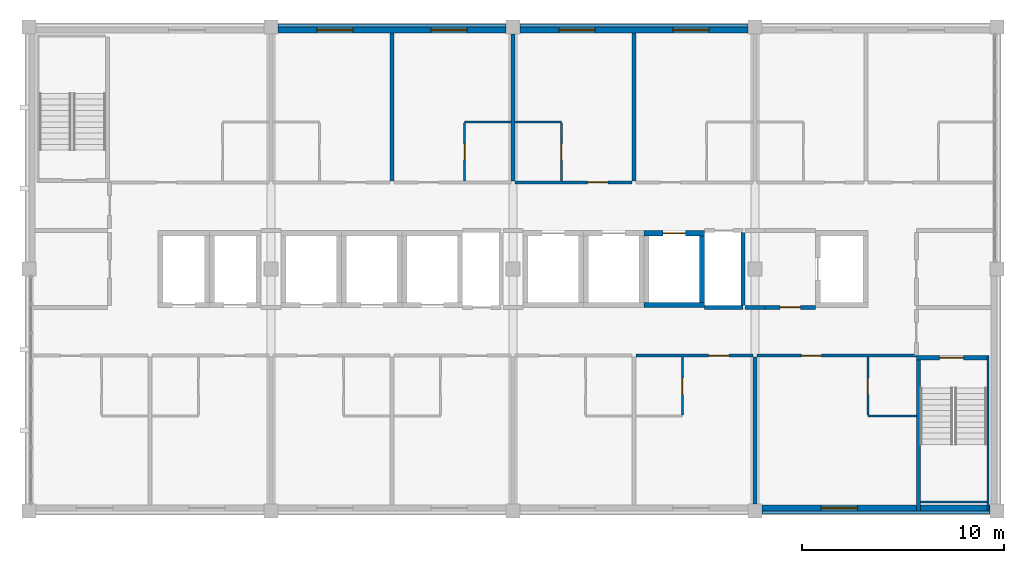
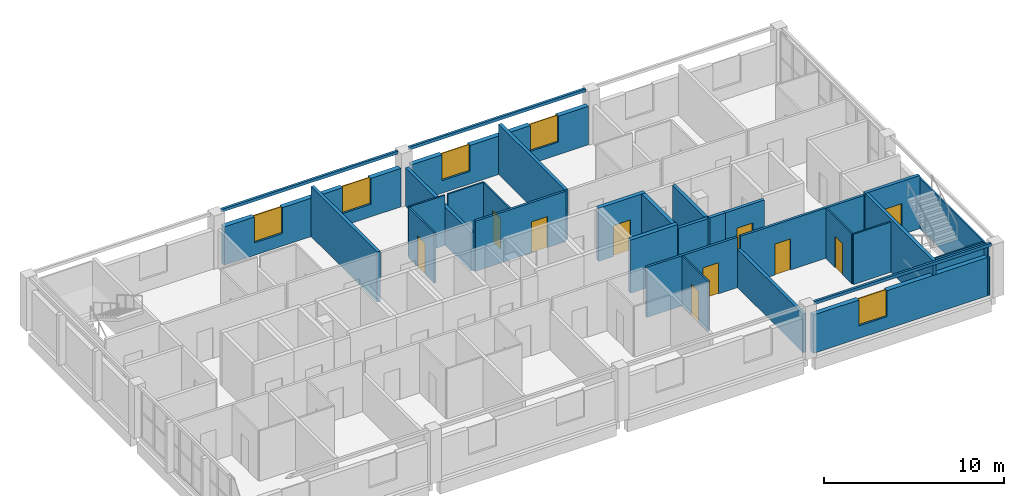
# One storey, part 8 of 11: 31 walls, 10 doors, 5 windows, 15 openings.
"""IFC4 building model written with IfcOpenShell, lengths in metres."""

from ifc_helpers import new_model, si_unit, direction, frame, frame_2d, origin, place, context, subcontext, project, spatial, rectangle, extrude, material, layer, layer_set, type_object, element, fill, save


model = new_model("IFC4")

# Units and contexts
model_context = context("Model", 3, precision=1e-05, world=origin(), true_north=direction((0.0, 1.0)))
body_context = subcontext(model_context, "Body", "Model", "MODEL_VIEW")
ifc_project = project(units=[si_unit("LENGTHUNIT", "METRE"), si_unit("AREAUNIT", "SQUARE_METRE"), si_unit("VOLUMEUNIT", "CUBIC_METRE"), si_unit("PLANEANGLEUNIT", "RADIAN"), si_unit("MASSUNIT", "GRAM", prefix="KILO")], contexts=[model_context])

# Site, building, storey
site_placement = place(None, origin())
site = spatial("IfcSite", under=ifc_project, at=site_placement, CompositionType="ELEMENT")
building_placement = place(site_placement, origin())
building = spatial("IfcBuilding", under=site, at=building_placement, Name="Lilac Gate Convention Centre", CompositionType="ELEMENT")
storey_placement = place(building_placement, frame((0.0, 0.0, 64.199951171875)))
storey = spatial("IfcBuildingStorey", under=building, at=storey_placement, Name="L16", CompositionType="ELEMENT", Elevation=64.199951171875)

# Walls
ifc_material_1 = material(Name="Concrete C40", Category="concrete")
ifc_layer_1 = layer(ifc_material_1, 0.10009765625)
ifc_layer_set_1 = layer_set([ifc_layer_1], Name="Concrete C40")
wall_type_1 = type_object("IfcWallType", Name="Core wall 100 C40", PredefinedType="SHEAR", material=ifc_layer_set_1)
wall_1_placement = place(storey_placement, frame((89.550048828125, 229.699951171875, 0.0), z_axis=(0.0, 0.0, 1.0), x_axis=(0.0, -1.0, 0.0)))
element("IfcWall", 1, at=wall_1_placement, inside=storey, type_object=wall_type_1, Name="CRW10 core wall TS-EX L16 1", PredefinedType="SHEAR", context=body_context, shape_type="SweptSolid", body=[
    extrude(rectangle(XDim=7.699951171875, YDim=0.10009765625, at=frame_2d((3.85009765625, 0.0))), origin(), (0.0, 0.0, 1.0), 3.400146484375),
])
wall_2_placement = place(storey_placement, frame((89.5, 222.449951171875, 0.0), z_axis=(0.0, 0.0, 1.0), x_axis=(-1.0, 0.0, 0.0)))
element("IfcWall", 2, at=wall_2_placement, inside=storey, type_object=wall_type_1, Name="CRW10 core wall TS-EX L16 2", PredefinedType="SHEAR", context=body_context, shape_type="SweptSolid", body=[
    extrude(rectangle(XDim=3.300048828125, YDim=0.10009765625, at=frame_2d((1.64990234375, 0.0))), origin(), (0.0, 0.0, 1.0), 3.400146484375),
])

# Wall, opening, door
ifc_layer_2 = layer(ifc_material_1, 0.199951171875)
ifc_layer_set_2 = layer_set([ifc_layer_2], Name="Concrete C40")
wall_type_2 = type_object("IfcWallType", Name="Core wall 200 C40", PredefinedType="SHEAR", material=ifc_layer_set_2)
wall_3_placement = place(storey_placement, frame((89.5, 229.60009765625, 0.0), z_axis=(0.0, 0.0, 1.0), x_axis=(-1.0, 0.0, 0.0)))
wall_3 = element("IfcWall", 3, at=wall_3_placement, inside=storey, type_object=wall_type_2, Name="CRW7 core wall TS-E L16 1", PredefinedType="SHEAR", context=body_context, shape_type="SweptSolid", body=[
    extrude(rectangle(XDim=3.5, YDim=0.199951171875, at=frame_2d((1.75, 0.0))), origin(), (0.0, 0.0, 1.0), 3.60009765625),
])
opening_1_placement = place(wall_3_placement, frame((1.14990234375, 0.0, 0.0)))
opening_1 = element("IfcOpeningElement", 4, at=opening_1_placement, cuts=wall_3, Name="Opening T15-046", PredefinedType="OPENING", context=body_context, shape_type="SweptSolid", body=[
    extrude(rectangle(XDim=1.199951171875, YDim=2.10009765625, at=frame_2d((0.60009765625, 1.050048828125))), frame((0.0, 0.10986328125, 0.0), z_axis=(0.0, -1.0, 0.0), x_axis=(1.0, 0.0, 0.0)), (0.0, 0.0, 1.0), 0.219970703125),
])
ifc_material_2 = material(Name="Steel Q235B", Category="steel")
door_type_1 = type_object("IfcDoorType", Name="Stair door 1200", OperationType="SINGLE_SWING_LEFT", PredefinedType="DOOR", material=ifc_material_2)
door_1_placement = place(opening_1_placement, origin())
door_1 = element("IfcDoor", 5, at=door_1_placement, inside=storey, type_object=door_type_1, Name="Stair door SE L16", OperationType="SINGLE_SWING_RIGHT", OverallHeight=2.10009765625, OverallWidth=1.199951171875, PredefinedType="DOOR", context=body_context, shape_type="SweptSolid", body=[
    extrude(rectangle(XDim=1.199951171875, YDim=2.10009765625, at=frame_2d((0.60009765625, 1.050048828125))), frame((0.0, 0.02490234375, 0.0), z_axis=(0.0, -1.0, 0.0), x_axis=(1.0, 0.0, 0.0)), (0.0, 0.0, 1.0), 0.050048828125),
])
fill(opening_1, door_1)

# Walls
wall_4_placement = place(storey_placement, frame((86.10009765625, 222.0, 0.0), z_axis=(0.0, 0.0, 1.0), x_axis=(0.0, 1.0, 0.0)))
element("IfcWall", 6, at=wall_4_placement, inside=storey, type_object=wall_type_2, Name="CRW7 core wall TS-E L16 2", PredefinedType="SHEAR", context=body_context, shape_type="SweptSolid", body=[
    extrude(rectangle(XDim=7.5, YDim=0.199951171875, at=frame_2d((3.75, 0.0))), origin(), (0.0, 0.0, 1.0), 3.60009765625),
])
ifc_layer_3 = layer(ifc_material_1, 0.25)
ifc_layer_set_3 = layer_set([ifc_layer_3], Name="Concrete C40")
wall_type_3 = type_object("IfcWallType", Name="Core wall 250 C40", PredefinedType="SHEAR", material=ifc_layer_set_3)
wall_5_placement = place(storey_placement, frame((72.5, 232.22509765625, 0.0), z_axis=(0.0, 0.0, 1.0), x_axis=(1.0, 0.0, 0.0)))
element("IfcWall", 7, at=wall_5_placement, inside=storey, type_object=wall_type_3, Name="CRW5 core wall TC L16 21", PredefinedType="SHEAR", context=body_context, shape_type="SweptSolid", body=[
    extrude(rectangle(XDim=3.0, YDim=0.25, at=frame_2d((1.5, 0.0))), origin(), (0.0, 0.0, 1.0), 3.60009765625),
])

# Wall, opening, door
wall_6_placement = place(storey_placement, frame((72.5, 235.77490234375, 0.0), z_axis=(0.0, 0.0, 1.0), x_axis=(1.0, 0.0, 0.0)))
wall_6 = element("IfcWall", 8, at=wall_6_placement, inside=storey, type_object=wall_type_3, Name="CRW5 core wall TC L16 22", PredefinedType="SHEAR", context=body_context, shape_type="SweptSolid", body=[
    extrude(rectangle(XDim=3.0, YDim=0.25, at=frame_2d((1.5, 0.0))), origin(), (0.0, 0.0, 1.0), 3.60009765625),
])
opening_2_placement = place(wall_6_placement, frame((0.949951171875, 0.0, 0.0)))
opening_2 = element("IfcOpeningElement", 9, at=opening_2_placement, cuts=wall_6, Name="Opening T15-041", PredefinedType="OPENING", context=body_context, shape_type="SweptSolid", body=[
    extrude(rectangle(XDim=1.10009765625, YDim=2.10009765625, at=frame_2d((0.550048828125, 1.050048828125))), frame((0.0, 0.135009765625, 0.0), z_axis=(0.0, -1.0, 0.0), x_axis=(1.0, 0.0, 0.0)), (0.0, 0.0, 1.0), 0.27001953125),
])
ifc_material_3 = material(Name="Stainless steel 304", Category="steel")
door_type_2 = type_object("IfcDoorType", Name="Lift landing door 1100", OperationType="SLIDING_TO_LEFT", PredefinedType="DOOR", material=ifc_material_3)
door_2_placement = place(opening_2_placement, origin())
door_2 = element("IfcDoor", 10, at=door_2_placement, inside=storey, type_object=door_type_2, Name="Lift landing door TP6 L16", OperationType="SLIDING_TO_LEFT", OverallHeight=2.10009765625, OverallWidth=1.10009765625, PredefinedType="DOOR", context=body_context, shape_type="SweptSolid", body=[
    extrude(rectangle(XDim=1.10009765625, YDim=2.10009765625, at=frame_2d((0.550048828125, 1.050048828125))), frame((0.0, 0.02490234375, 0.0), z_axis=(0.0, -1.0, 0.0), x_axis=(1.0, 0.0, 0.0)), (0.0, 0.0, 1.0), 0.050048828125),
])
fill(opening_2, door_2)

# Wall
wall_7_placement = place(storey_placement, frame((75.375, 232.35009765625, 0.0), z_axis=(0.0, 0.0, 1.0), x_axis=(0.0, 1.0, 0.0)))
element("IfcWall", 11, at=wall_7_placement, inside=storey, type_object=wall_type_3, Name="CRW5 core wall TC L16 24", PredefinedType="SHEAR", context=body_context, shape_type="SweptSolid", body=[
    extrude(rectangle(XDim=3.2998046875, YDim=0.25, at=frame_2d((1.64990234375, 0.0))), origin(), (0.0, 0.0, 1.0), 3.60009765625),
])

# Wall, opening, door
ifc_material_4 = material(Name="Gypsum board on steel stud", Category="steel")
ifc_layer_4 = layer(ifc_material_4, 0.14990234375)
ifc_layer_set_4 = layer_set([ifc_layer_4], Name="Gypsum board on steel stud")
wall_type_4 = type_object("IfcWallType", Name="Corridor wall 150", PredefinedType="PARTITIONING", material=ifc_layer_set_4)
wall_8_placement = place(storey_placement, frame((77.89990234375, 229.699951171875, 0.0), z_axis=(0.0, 0.0, 1.0), x_axis=(-1.0, 0.0, 0.0)))
wall_8 = element("IfcWall", 12, at=wall_8_placement, inside=storey, type_object=wall_type_4, Name="Corridor wall 150 front 1606", PredefinedType="PARTITIONING", context=body_context, shape_type="SweptSolid", body=[
    extrude(rectangle(XDim=5.7998046875, YDim=0.14990234375, at=frame_2d((2.89990234375, 0.0))), origin(), (0.0, 0.0, 1.0), 3.400146484375),
])
opening_3_placement = place(wall_8_placement, frame((1.199951171875, 0.0, 0.0)))
opening_3 = element("IfcOpeningElement", 13, at=opening_3_placement, cuts=wall_8, Name="Opening T15-018", PredefinedType="OPENING", context=body_context, shape_type="SweptSolid", body=[
    extrude(rectangle(XDim=1.0, YDim=2.10009765625, at=frame_2d((0.5, 1.050048828125))), frame((0.0, 0.0849609375, 0.0), z_axis=(0.0, -1.0, 0.0), x_axis=(1.0, 0.0, 0.0)), (0.0, 0.0, 1.0), 0.169921875),
])
ifc_material_5 = material(Name="Timber", Category="wood")
door_type_3 = type_object("IfcDoorType", Name="Guest room entrance door 1000", OperationType="SINGLE_SWING_LEFT", PredefinedType="DOOR", material=ifc_material_5)
door_3_placement = place(opening_3_placement, origin())
door_3 = element("IfcDoor", 14, at=door_3_placement, inside=storey, type_object=door_type_3, Name="Guest room door 1606", OperationType="SINGLE_SWING_LEFT", OverallHeight=2.10009765625, OverallWidth=1.0, PredefinedType="DOOR", context=body_context, shape_type="SweptSolid", body=[
    extrude(rectangle(XDim=1.0, YDim=2.10009765625, at=frame_2d((0.5, 1.050048828125))), frame((0.0, 0.02490234375, 0.0), z_axis=(0.0, -1.0, 0.0), x_axis=(1.0, 0.0, 0.0)), (0.0, 0.0, 1.0), 0.050048828125),
])
fill(opening_3, door_3)

wall_9_placement = place(storey_placement, frame((86.0, 229.699951171875, 0.0), z_axis=(0.0, 0.0, 1.0), x_axis=(-1.0, 0.0, 0.0)))
wall_9 = element("IfcWall", 15, at=wall_9_placement, inside=storey, type_object=wall_type_4, Name="Corridor wall 150 front 1607", PredefinedType="PARTITIONING", context=body_context, shape_type="SweptSolid", body=[
    extrude(rectangle(XDim=7.89990234375, YDim=0.14990234375, at=frame_2d((3.949951171875, 0.0))), origin(), (0.0, 0.0, 1.0), 3.400146484375),
])
opening_4_placement = place(wall_9_placement, frame((4.699951171875, 0.0, 0.0)))
opening_4 = element("IfcOpeningElement", 16, at=opening_4_placement, cuts=wall_9, Name="Opening T15-020", PredefinedType="OPENING", context=body_context, shape_type="SweptSolid", body=[
    extrude(rectangle(XDim=1.0, YDim=2.10009765625, at=frame_2d((0.5, 1.050048828125))), frame((0.0, 0.0849609375, 0.0), z_axis=(0.0, -1.0, 0.0), x_axis=(1.0, 0.0, 0.0)), (0.0, 0.0, 1.0), 0.169921875),
])
door_4_placement = place(opening_4_placement, origin())
door_4 = element("IfcDoor", 17, at=door_4_placement, inside=storey, type_object=door_type_3, Name="Guest room door 1607", OperationType="SINGLE_SWING_LEFT", OverallHeight=2.10009765625, OverallWidth=1.0, PredefinedType="DOOR", context=body_context, shape_type="SweptSolid", body=[
    extrude(rectangle(XDim=1.0, YDim=2.10009765625, at=frame_2d((0.5, 1.050048828125))), frame((0.0, 0.02490234375, 0.0), z_axis=(0.0, -1.0, 0.0), x_axis=(1.0, 0.0, 0.0)), (0.0, 0.0, 1.0), 0.050048828125),
])
fill(opening_4, door_4)

wall_10_placement = place(storey_placement, frame((66.10009765625, 238.300048828125, 0.0), z_axis=(0.0, 0.0, 1.0), x_axis=(1.0, 0.0, 0.0)))
wall_10 = element("IfcWall", 18, at=wall_10_placement, inside=storey, type_object=wall_type_4, Name="Corridor wall 150 front 1611", PredefinedType="PARTITIONING", context=body_context, shape_type="SweptSolid", body=[
    extrude(rectangle(XDim=5.7998046875, YDim=0.14990234375, at=frame_2d((2.89990234375, 0.0))), origin(), (0.0, 0.0, 1.0), 3.400146484375),
])
opening_5_placement = place(wall_10_placement, frame((3.60009765625, 0.0, 0.0)))
opening_5 = element("IfcOpeningElement", 19, at=opening_5_placement, cuts=wall_10, Name="Opening T15-028", PredefinedType="OPENING", context=body_context, shape_type="SweptSolid", body=[
    extrude(rectangle(XDim=1.0, YDim=2.10009765625, at=frame_2d((0.5, 1.050048828125))), frame((0.0, 0.0849609375, 0.0), z_axis=(0.0, -1.0, 0.0), x_axis=(1.0, 0.0, 0.0)), (0.0, 0.0, 1.0), 0.169921875),
])
door_5_placement = place(opening_5_placement, origin())
door_5 = element("IfcDoor", 20, at=door_5_placement, inside=storey, type_object=door_type_3, Name="Guest room door 1611", OperationType="SINGLE_SWING_LEFT", OverallHeight=2.10009765625, OverallWidth=1.0, PredefinedType="DOOR", context=body_context, shape_type="SweptSolid", body=[
    extrude(rectangle(XDim=1.0, YDim=2.10009765625, at=frame_2d((0.5, 1.050048828125))), frame((0.0, 0.02490234375, 0.0), z_axis=(0.0, -1.0, 0.0), x_axis=(1.0, 0.0, 0.0)), (0.0, 0.0, 1.0), 0.050048828125),
])
fill(opening_5, door_5)

ifc_layer_5 = layer(ifc_material_4, 0.10009765625)
ifc_layer_set_5 = layer_set([ifc_layer_5], Name="Gypsum board on steel stud")
wall_type_5 = type_object("IfcWallType", Name="En-suite wall 100", PredefinedType="PARTITIONING", material=ifc_layer_set_5)
wall_11_placement = place(storey_placement, frame((74.39990234375, 229.625, 0.0), z_axis=(0.0, 0.0, 1.0), x_axis=(0.0, -1.0, 0.0)))
wall_11 = element("IfcWall", 21, at=wall_11_placement, inside=storey, type_object=wall_type_5, Name="En-suite wall 100 bath side 1606", PredefinedType="PARTITIONING", context=body_context, shape_type="SweptSolid", body=[
    extrude(rectangle(XDim=2.875, YDim=0.10009765625, at=frame_2d((1.4375, 0.0))), origin(), (0.0, 0.0, 1.0), 3.400146484375),
])
opening_6_placement = place(wall_11_placement, frame((1.03759765625, 0.0, 0.0)))
opening_6 = element("IfcOpeningElement", 22, at=opening_6_placement, cuts=wall_11, Name="Opening T15-019", PredefinedType="OPENING", context=body_context, shape_type="SweptSolid", body=[
    extrude(rectangle(XDim=0.800048828125, YDim=2.10009765625, at=frame_2d((0.39990234375, 1.050048828125))), frame((0.0, 0.06005859375, 0.0), z_axis=(0.0, -1.0, 0.0), x_axis=(1.0, 0.0, 0.0)), (0.0, 0.0, 1.0), 0.1201171875),
])
door_type_4 = type_object("IfcDoorType", Name="En-suite door 800", OperationType="SINGLE_SWING_LEFT", PredefinedType="DOOR", material=ifc_material_5)
door_6_placement = place(opening_6_placement, origin())
door_6 = element("IfcDoor", 23, at=door_6_placement, inside=storey, type_object=door_type_4, Name="En-suite door 1606", OperationType="SINGLE_SWING_LEFT", OverallHeight=2.10009765625, OverallWidth=0.800048828125, PredefinedType="DOOR", context=body_context, shape_type="SweptSolid", body=[
    extrude(rectangle(XDim=0.800048828125, YDim=2.10009765625, at=frame_2d((0.39990234375, 1.050048828125))), frame((0.0, 0.02490234375, 0.0), z_axis=(0.0, -1.0, 0.0), x_axis=(1.0, 0.0, 0.0)), (0.0, 0.0, 1.0), 0.050048828125),
])
fill(opening_6, door_6)

# Wall
wall_12_placement = place(storey_placement, frame((83.60009765625, 226.699951171875, 0.0), z_axis=(0.0, 0.0, 1.0), x_axis=(1.0, 0.0, 0.0)))
element("IfcWall", 24, at=wall_12_placement, inside=storey, type_object=wall_type_5, Name="En-suite wall 100 bath 1607", PredefinedType="PARTITIONING", context=body_context, shape_type="SweptSolid", body=[
    extrude(rectangle(XDim=2.39990234375, YDim=0.10009765625, at=frame_2d((1.199951171875, 0.0))), origin(), (0.0, 0.0, 1.0), 3.400146484375),
])

# Wall, opening, door
wall_13_placement = place(storey_placement, frame((83.60009765625, 226.75, 0.0), z_axis=(0.0, 0.0, 1.0), x_axis=(0.0, 1.0, 0.0)))
wall_13 = element("IfcWall", 25, at=wall_13_placement, inside=storey, type_object=wall_type_5, Name="En-suite wall 100 bath side 1607", PredefinedType="PARTITIONING", context=body_context, shape_type="SweptSolid", body=[
    extrude(rectangle(XDim=2.875, YDim=0.10009765625, at=frame_2d((1.4375, 0.0))), origin(), (0.0, 0.0, 1.0), 3.400146484375),
])
opening_7_placement = place(wall_13_placement, frame((1.03759765625, 0.0, 0.0)))
opening_7 = element("IfcOpeningElement", 26, at=opening_7_placement, cuts=wall_13, Name="Opening T15-021", PredefinedType="OPENING", context=body_context, shape_type="SweptSolid", body=[
    extrude(rectangle(XDim=0.800048828125, YDim=2.10009765625, at=frame_2d((0.39990234375, 1.050048828125))), frame((0.0, 0.06005859375, 0.0), z_axis=(0.0, -1.0, 0.0), x_axis=(1.0, 0.0, 0.0)), (0.0, 0.0, 1.0), 0.1201171875),
])
door_7_placement = place(opening_7_placement, origin())
door_7 = element("IfcDoor", 27, at=door_7_placement, inside=storey, type_object=door_type_4, Name="En-suite door 1607", OperationType="SINGLE_SWING_RIGHT", OverallHeight=2.10009765625, OverallWidth=0.800048828125, PredefinedType="DOOR", context=body_context, shape_type="SweptSolid", body=[
    extrude(rectangle(XDim=0.800048828125, YDim=2.10009765625, at=frame_2d((0.39990234375, 1.050048828125))), frame((0.0, 0.02490234375, 0.0), z_axis=(0.0, -1.0, 0.0), x_axis=(1.0, 0.0, 0.0)), (0.0, 0.0, 1.0), 0.050048828125),
])
fill(opening_7, door_7)

# Wall
wall_14_placement = place(storey_placement, frame((63.60009765625, 241.300048828125, 0.0), z_axis=(0.0, 0.0, 1.0), x_axis=(1.0, 0.0, 0.0)))
element("IfcWall", 28, at=wall_14_placement, inside=storey, type_object=wall_type_5, Name="En-suite wall 100 bath 1610", PredefinedType="PARTITIONING", context=body_context, shape_type="SweptSolid", body=[
    extrude(rectangle(XDim=2.2998046875, YDim=0.10009765625, at=frame_2d((1.14990234375, 0.0))), origin(), (0.0, 0.0, 1.0), 3.400146484375),
])

# Wall, opening, door
wall_15_placement = place(storey_placement, frame((63.60009765625, 238.375, 0.0), z_axis=(0.0, 0.0, 1.0), x_axis=(0.0, 1.0, 0.0)))
wall_15 = element("IfcWall", 29, at=wall_15_placement, inside=storey, type_object=wall_type_5, Name="En-suite wall 100 bath side 1610", PredefinedType="PARTITIONING", context=body_context, shape_type="SweptSolid", body=[
    extrude(rectangle(XDim=2.875, YDim=0.10009765625, at=frame_2d((1.4375, 0.0))), origin(), (0.0, 0.0, 1.0), 3.400146484375),
])
opening_8_placement = place(wall_15_placement, frame((1.03759765625, 0.0, 0.0)))
opening_8 = element("IfcOpeningElement", 30, at=opening_8_placement, cuts=wall_15, Name="Opening T15-027", PredefinedType="OPENING", context=body_context, shape_type="SweptSolid", body=[
    extrude(rectangle(XDim=0.800048828125, YDim=2.10009765625, at=frame_2d((0.39990234375, 1.050048828125))), frame((0.0, 0.06005859375, 0.0), z_axis=(0.0, -1.0, 0.0), x_axis=(1.0, 0.0, 0.0)), (0.0, 0.0, 1.0), 0.1201171875),
])
door_8_placement = place(opening_8_placement, origin())
door_8 = element("IfcDoor", 31, at=door_8_placement, inside=storey, type_object=door_type_4, Name="En-suite door 1610", OperationType="SINGLE_SWING_LEFT", OverallHeight=2.10009765625, OverallWidth=0.800048828125, PredefinedType="DOOR", context=body_context, shape_type="SweptSolid", body=[
    extrude(rectangle(XDim=0.800048828125, YDim=2.10009765625, at=frame_2d((0.39990234375, 1.050048828125))), frame((0.0, 0.02490234375, 0.0), z_axis=(0.0, -1.0, 0.0), x_axis=(1.0, 0.0, 0.0)), (0.0, 0.0, 1.0), 0.050048828125),
])
fill(opening_8, door_8)

# Wall
wall_16_placement = place(storey_placement, frame((66.10009765625, 241.300048828125, 0.0), z_axis=(0.0, 0.0, 1.0), x_axis=(1.0, 0.0, 0.0)))
element("IfcWall", 32, at=wall_16_placement, inside=storey, type_object=wall_type_5, Name="En-suite wall 100 bath 1611", PredefinedType="PARTITIONING", context=body_context, shape_type="SweptSolid", body=[
    extrude(rectangle(XDim=2.2998046875, YDim=0.10009765625, at=frame_2d((1.14990234375, 0.0))), origin(), (0.0, 0.0, 1.0), 3.400146484375),
])

# Wall, opening, door
wall_17_placement = place(storey_placement, frame((68.39990234375, 241.25, 0.0), z_axis=(0.0, 0.0, 1.0), x_axis=(0.0, -1.0, 0.0)))
wall_17 = element("IfcWall", 33, at=wall_17_placement, inside=storey, type_object=wall_type_5, Name="En-suite wall 100 bath side 1611", PredefinedType="PARTITIONING", context=body_context, shape_type="SweptSolid", body=[
    extrude(rectangle(XDim=2.875, YDim=0.10009765625, at=frame_2d((1.4375, 0.0))), origin(), (0.0, 0.0, 1.0), 3.400146484375),
])
opening_9_placement = place(wall_17_placement, frame((1.03759765625, 0.0, 0.0)))
opening_9 = element("IfcOpeningElement", 34, at=opening_9_placement, cuts=wall_17, Name="Opening T15-029", PredefinedType="OPENING", context=body_context, shape_type="SweptSolid", body=[
    extrude(rectangle(XDim=0.800048828125, YDim=2.10009765625, at=frame_2d((0.39990234375, 1.050048828125))), frame((0.0, 0.06005859375, 0.0), z_axis=(0.0, -1.0, 0.0), x_axis=(1.0, 0.0, 0.0)), (0.0, 0.0, 1.0), 0.1201171875),
])
door_9_placement = place(opening_9_placement, origin())
door_9 = element("IfcDoor", 35, at=door_9_placement, inside=storey, type_object=door_type_4, Name="En-suite door 1611", OperationType="SINGLE_SWING_RIGHT", OverallHeight=2.10009765625, OverallWidth=0.800048828125, PredefinedType="DOOR", context=body_context, shape_type="SweptSolid", body=[
    extrude(rectangle(XDim=0.800048828125, YDim=2.10009765625, at=frame_2d((0.39990234375, 1.050048828125))), frame((0.0, 0.02490234375, 0.0), z_axis=(0.0, -1.0, 0.0), x_axis=(1.0, 0.0, 0.0)), (0.0, 0.0, 1.0), 0.050048828125),
])
fill(opening_9, door_9)

# Walls
ifc_layer_6 = layer(ifc_material_4, 0.199951171875)
ifc_layer_set_6 = layer_set([ifc_layer_6], Name="Gypsum board on steel stud")
wall_type_6 = type_object("IfcWallType", Name="Guest room party wall 200", PredefinedType="PARTITIONING", material=ifc_layer_set_6)
wall_18_placement = place(storey_placement, frame((78.0, 222.35009765625, 0.0), z_axis=(0.0, 0.0, 1.0), x_axis=(0.0, 1.0, 0.0)))
element("IfcWall", 36, at=wall_18_placement, inside=storey, type_object=wall_type_6, Name="Guest room party wall 200 party 78.0", PredefinedType="PARTITIONING", context=body_context, shape_type="SweptSolid", body=[
    extrude(rectangle(XDim=7.27490234375, YDim=0.199951171875, at=frame_2d((3.637451171875, 0.0))), origin(), (0.0, 0.0, 1.0), 2.60009765625),
])
wall_19_placement = place(storey_placement, frame((60.0, 245.7001953125, 0.0), z_axis=(0.0, 0.0, 1.0), x_axis=(0.0, -1.0, 0.0)))
element("IfcWall", 37, at=wall_19_placement, inside=storey, type_object=wall_type_6, Name="Guest room party wall 200 party 60.0", PredefinedType="PARTITIONING", context=body_context, shape_type="SweptSolid", body=[
    extrude(rectangle(XDim=7.3251953125, YDim=0.199951171875, at=frame_2d((3.66259765625, 0.0))), origin(), (0.0, 0.0, 1.0), 3.400146484375),
])
wall_20_placement = place(storey_placement, frame((66.0, 245.64990234375, 0.0), z_axis=(0.0, 0.0, 1.0), x_axis=(0.0, -1.0, 0.0)))
element("IfcWall", 38, at=wall_20_placement, inside=storey, type_object=wall_type_6, Name="Guest room party wall 200 party 66.0", PredefinedType="PARTITIONING", context=body_context, shape_type="SweptSolid", body=[
    extrude(rectangle(XDim=7.27490234375, YDim=0.199951171875, at=frame_2d((3.637451171875, 0.0))), origin(), (0.0, 0.0, 1.0), 2.60009765625),
])
wall_21_placement = place(storey_placement, frame((72.0, 245.7001953125, 0.0), z_axis=(0.0, 0.0, 1.0), x_axis=(0.0, -1.0, 0.0)))
element("IfcWall", 39, at=wall_21_placement, inside=storey, type_object=wall_type_6, Name="Guest room party wall 200 party 72.0", PredefinedType="PARTITIONING", context=body_context, shape_type="SweptSolid", body=[
    extrude(rectangle(XDim=7.3251953125, YDim=0.199951171875, at=frame_2d((3.66259765625, 0.0))), origin(), (0.0, 0.0, 1.0), 3.400146484375),
])

# Wall, opening, door
ifc_layer_7 = layer(ifc_material_4, 0.199951171875)
ifc_layer_set_7 = layer_set([ifc_layer_7], Name="Gypsum board on steel stud")
wall_type_7 = type_object("IfcWallType", Name="Lobby wall 200", PredefinedType="PARTITIONING", material=ifc_layer_set_7)
wall_22_placement = place(storey_placement, frame((78.5, 232.10009765625, 0.0), z_axis=(0.0, 0.0, 1.0), x_axis=(1.0, 0.0, 0.0)))
wall_22 = element("IfcWall", 40, at=wall_22_placement, inside=storey, type_object=wall_type_7, Name="Lobby wall 200 FFL-S", PredefinedType="PARTITIONING", context=body_context, shape_type="SweptSolid", body=[
    extrude(rectangle(XDim=2.5, YDim=0.199951171875, at=frame_2d((1.25, 0.0))), origin(), (0.0, 0.0, 1.0), 3.400146484375),
])
opening_10_placement = place(wall_22_placement, frame((0.75, 0.0, 0.0)))
opening_10 = element("IfcOpeningElement", 41, at=opening_10_placement, cuts=wall_22, Name="Opening T15-004", PredefinedType="OPENING", context=body_context, shape_type="SweptSolid", body=[
    extrude(rectangle(XDim=1.0, YDim=2.10009765625, at=frame_2d((0.5, 1.050048828125))), frame((0.0, 0.10986328125, 0.0), z_axis=(0.0, -1.0, 0.0), x_axis=(1.0, 0.0, 0.0)), (0.0, 0.0, 1.0), 0.219970703125),
])
door_type_5 = type_object("IfcDoorType", Name="Lobby door 1000", OperationType="SINGLE_SWING_LEFT", PredefinedType="DOOR", material=ifc_material_2)
door_10_placement = place(opening_10_placement, origin())
door_10 = element("IfcDoor", 42, at=door_10_placement, inside=storey, type_object=door_type_5, Name="Firefighting lobby door", OperationType="SINGLE_SWING_RIGHT", OverallHeight=2.10009765625, OverallWidth=1.0, PredefinedType="DOOR", context=body_context, shape_type="SweptSolid", body=[
    extrude(rectangle(XDim=1.0, YDim=2.10009765625, at=frame_2d((0.5, 1.050048828125))), frame((0.0, 0.02490234375, 0.0), z_axis=(0.0, -1.0, 0.0), x_axis=(1.0, 0.0, 0.0)), (0.0, 0.0, 1.0), 0.050048828125),
])
fill(opening_10, door_10)

# Walls
ifc_material_6 = material(Name="Concrete C40 precast", Category="concrete")
ifc_layer_8 = layer(ifc_material_6, 0.1298828125)
ifc_material_7 = material(Name="Terracotta glazed cladding", Category="masonry")
ifc_layer_9 = layer(ifc_material_7, 0.02001953125)
ifc_layer_set_8 = layer_set([ifc_layer_8, ifc_layer_9], Name="Concrete C40 precast, Terracotta glazed cladding")
wall_type_8 = type_object("IfcWallType", Name="Precast band terracotta 150", PredefinedType="STANDARD", material=ifc_layer_set_8)
for number, where, z_axis, x_axis, name in (
    (43, (78.35009765625, 221.925048828125, 3.400146484375), (0.0, 0.0, 1.0), (1.0, 0.0, 0.0), "Precast band S L16 4"),
    (44, (77.64990234375, 246.074951171875, 3.400146484375), (0.0, 0.0, 1.0), (-1.0, 0.0, 0.0), "Precast band N L16 2"),
    (45, (65.64990234375, 246.074951171875, 3.400146484375), (0.0, 0.0, 1.0), (-1.0, 0.0, 0.0), "Precast band N L16 3"),
):
    element("IfcWall", number, at=place(storey_placement, frame(where, z_axis=z_axis, x_axis=x_axis)), inside=storey, type_object=wall_type_8, Name=name, PredefinedType="STANDARD", context=body_context, shape_type="SweptSolid", body=[
        extrude(rectangle(XDim=11.2998046875, YDim=0.14990234375, at=frame_2d((5.64990234375, 0.0))), origin(), (0.0, 0.0, 1.0), 0.199951171875),
    ])

# Wall, opening, window
ifc_material_8 = material(Name="Ochre mineral render")
ifc_layer_10 = layer(ifc_material_8, 0.02001953125)
ifc_layer_11 = layer(ifc_material_6, 0.06005859375)
ifc_material_9 = material(Name="Ventilated air cavity")
ifc_layer_12 = layer(ifc_material_9, 0.030029296875)
ifc_material_10 = material(Name="Mineral wool insulation")
ifc_layer_13 = layer(ifc_material_10, 0.1201171875)
ifc_material_11 = material(Name="Steel stud Q345 and gypsum lining", Category="steel")
ifc_layer_14 = layer(ifc_material_11, 0.070068359375)
ifc_layer_set_9 = layer_set([ifc_layer_10, ifc_layer_11, ifc_layer_12, ifc_layer_13, ifc_layer_14], Name="Ochre mineral render, Concrete C40 precast, Ventilated air cavity, Mineral wool insulation, Steel stud Q345 and gypsum lining")
wall_type_9 = type_object("IfcWallType", Name="Precast panel wall ochre 300", PredefinedType="STANDARD", material=ifc_layer_set_9)
wall_23_placement = place(storey_placement, frame((78.35009765625, 222.14990234375, 0.0), z_axis=(0.0, 0.0, 1.0), x_axis=(1.0, 0.0, 0.0)))
wall_23 = element("IfcWall", 46, at=wall_23_placement, inside=storey, type_object=wall_type_9, Name="External wall S L16 4", PredefinedType="STANDARD", context=body_context, shape_type="SweptSolid", body=[
    extrude(rectangle(XDim=11.2998046875, YDim=0.300048828125, at=frame_2d((5.64990234375, 0.0))), origin(), (0.0, 0.0, 1.0), 2.60009765625),
])
opening_11_placement = place(wall_23_placement, frame((2.925048828125, 0.0, 0.85009765625)))
opening_11 = element("IfcOpeningElement", 47, at=opening_11_placement, cuts=wall_23, Name="Opening W1", PredefinedType="OPENING", context=body_context, shape_type="SweptSolid", body=[
    extrude(rectangle(XDim=1.800048828125, YDim=1.75, at=frame_2d((0.89990234375, 0.875))), frame((0.0, 0.159912109375, 0.0), z_axis=(0.0, -1.0, 0.0), x_axis=(1.0, 0.0, 0.0)), (0.0, 0.0, 1.0), 0.320068359375),
])
ifc_material_12 = material(Name="Aluminium framed double glazing", Category="aluminium")
window_type = type_object("IfcWindowType", Name="Guest room window 1800 x 1750", PartitioningType="DOUBLE_PANEL_VERTICAL", PredefinedType="WINDOW", material=ifc_material_12)
window_1_placement = place(opening_11_placement, origin())
window_1 = element("IfcWindow", 48, at=window_1_placement, inside=storey, type_object=window_type, Name="Window Guest S L16", OverallHeight=1.75, OverallWidth=1.800048828125, PartitioningType="SINGLE_PANEL", PredefinedType="WINDOW", context=body_context, shape_type="SweptSolid", body=[
    extrude(rectangle(XDim=1.800048828125, YDim=1.75, at=frame_2d((0.89990234375, 0.875))), frame((0.0, 0.030029296875, 0.0), z_axis=(0.0, -1.0, 0.0), x_axis=(1.0, 0.0, 0.0)), (0.0, 0.0, 1.0), 0.06005859375),
])
fill(opening_11, window_1)

# Wall, openings, windows
wall_24_placement = place(storey_placement, frame((77.64990234375, 245.85009765625, 0.0), z_axis=(0.0, 0.0, 1.0), x_axis=(-1.0, 0.0, 0.0)))
wall_24 = element("IfcWall", 49, at=wall_24_placement, inside=storey, type_object=wall_type_9, Name="External wall N L16 2", PredefinedType="STANDARD", context=body_context, shape_type="SweptSolid", body=[
    extrude(rectangle(XDim=11.2998046875, YDim=0.300048828125, at=frame_2d((5.64990234375, 0.0))), origin(), (0.0, 0.0, 1.0), 2.60009765625),
])
opening_12_placement = place(wall_24_placement, frame((7.574951171875, 0.0, 0.85009765625)))
opening_12 = element("IfcOpeningElement", 50, at=opening_12_placement, cuts=wall_24, Name="Opening W1", PredefinedType="OPENING", context=body_context, shape_type="SweptSolid", body=[
    extrude(rectangle(XDim=1.800048828125, YDim=1.75, at=frame_2d((0.89990234375, 0.875))), frame((0.0, 0.159912109375, 0.0), z_axis=(0.0, -1.0, 0.0), x_axis=(1.0, 0.0, 0.0)), (0.0, 0.0, 1.0), 0.320068359375),
])
opening_13_placement = place(wall_24_placement, frame((1.925048828125, 0.0, 0.85009765625)))
opening_13 = element("IfcOpeningElement", 51, at=opening_13_placement, cuts=wall_24, Name="Opening W1", PredefinedType="OPENING", context=body_context, shape_type="SweptSolid", body=[
    extrude(rectangle(XDim=1.800048828125, YDim=1.75, at=frame_2d((0.89990234375, 0.875))), frame((0.0, 0.159912109375, 0.0), z_axis=(0.0, -1.0, 0.0), x_axis=(1.0, 0.0, 0.0)), (0.0, 0.0, 1.0), 0.320068359375),
])
window_2_placement = place(opening_12_placement, origin())
window_2 = element("IfcWindow", 52, at=window_2_placement, inside=storey, type_object=window_type, Name="Window Guest N L16", OverallHeight=1.75, OverallWidth=1.800048828125, PartitioningType="SINGLE_PANEL", PredefinedType="WINDOW", context=body_context, shape_type="SweptSolid", body=[
    extrude(rectangle(XDim=1.800048828125, YDim=1.75, at=frame_2d((0.89990234375, 0.875))), frame((0.0, 0.030029296875, 0.0), z_axis=(0.0, -1.0, 0.0), x_axis=(1.0, 0.0, 0.0)), (0.0, 0.0, 1.0), 0.06005859375),
])
fill(opening_12, window_2)
window_3_placement = place(opening_13_placement, origin())
window_3 = element("IfcWindow", 53, at=window_3_placement, inside=storey, type_object=window_type, Name="Window Guest N L16", OverallHeight=1.75, OverallWidth=1.800048828125, PartitioningType="SINGLE_PANEL", PredefinedType="WINDOW", context=body_context, shape_type="SweptSolid", body=[
    extrude(rectangle(XDim=1.800048828125, YDim=1.75, at=frame_2d((0.89990234375, 0.875))), frame((0.0, 0.030029296875, 0.0), z_axis=(0.0, -1.0, 0.0), x_axis=(1.0, 0.0, 0.0)), (0.0, 0.0, 1.0), 0.06005859375),
])
fill(opening_13, window_3)

wall_25_placement = place(storey_placement, frame((65.64990234375, 245.85009765625, 0.0), z_axis=(0.0, 0.0, 1.0), x_axis=(-1.0, 0.0, 0.0)))
wall_25 = element("IfcWall", 54, at=wall_25_placement, inside=storey, type_object=wall_type_9, Name="External wall N L16 3", PredefinedType="STANDARD", context=body_context, shape_type="SweptSolid", body=[
    extrude(rectangle(XDim=11.2998046875, YDim=0.300048828125, at=frame_2d((5.64990234375, 0.0))), origin(), (0.0, 0.0, 1.0), 2.60009765625),
])
opening_14_placement = place(wall_25_placement, frame((7.574951171875, 0.0, 0.85009765625)))
opening_14 = element("IfcOpeningElement", 55, at=opening_14_placement, cuts=wall_25, Name="Opening W1", PredefinedType="OPENING", context=body_context, shape_type="SweptSolid", body=[
    extrude(rectangle(XDim=1.800048828125, YDim=1.75, at=frame_2d((0.89990234375, 0.875))), frame((0.0, 0.159912109375, 0.0), z_axis=(0.0, -1.0, 0.0), x_axis=(1.0, 0.0, 0.0)), (0.0, 0.0, 1.0), 0.320068359375),
])
opening_15_placement = place(wall_25_placement, frame((1.925048828125, 0.0, 0.85009765625)))
opening_15 = element("IfcOpeningElement", 56, at=opening_15_placement, cuts=wall_25, Name="Opening W1", PredefinedType="OPENING", context=body_context, shape_type="SweptSolid", body=[
    extrude(rectangle(XDim=1.800048828125, YDim=1.75, at=frame_2d((0.89990234375, 0.875))), frame((0.0, 0.159912109375, 0.0), z_axis=(0.0, -1.0, 0.0), x_axis=(1.0, 0.0, 0.0)), (0.0, 0.0, 1.0), 0.320068359375),
])
window_4_placement = place(opening_14_placement, origin())
window_4 = element("IfcWindow", 57, at=window_4_placement, inside=storey, type_object=window_type, Name="Window Guest N L16", OverallHeight=1.75, OverallWidth=1.800048828125, PartitioningType="SINGLE_PANEL", PredefinedType="WINDOW", context=body_context, shape_type="SweptSolid", body=[
    extrude(rectangle(XDim=1.800048828125, YDim=1.75, at=frame_2d((0.89990234375, 0.875))), frame((0.0, 0.030029296875, 0.0), z_axis=(0.0, -1.0, 0.0), x_axis=(1.0, 0.0, 0.0)), (0.0, 0.0, 1.0), 0.06005859375),
])
fill(opening_14, window_4)
window_5_placement = place(opening_15_placement, origin())
window_5 = element("IfcWindow", 58, at=window_5_placement, inside=storey, type_object=window_type, Name="Window Guest N L16", OverallHeight=1.75, OverallWidth=1.800048828125, PartitioningType="SINGLE_PANEL", PredefinedType="WINDOW", context=body_context, shape_type="SweptSolid", body=[
    extrude(rectangle(XDim=1.800048828125, YDim=1.75, at=frame_2d((0.89990234375, 0.875))), frame((0.0, 0.030029296875, 0.0), z_axis=(0.0, -1.0, 0.0), x_axis=(1.0, 0.0, 0.0)), (0.0, 0.0, 1.0), 0.06005859375),
])
fill(opening_15, window_5)

# Walls
ifc_layer_15 = layer(ifc_material_4, 0.199951171875)
ifc_layer_set_10 = layer_set([ifc_layer_15], Name="Gypsum board on steel stud")
wall_type_10 = type_object("IfcWallType", Name="Riser and store wall 200", PredefinedType="PARTITIONING", material=ifc_layer_set_10)
wall_26_placement = place(storey_placement, frame((75.5, 232.10009765625, 0.0), z_axis=(0.0, 0.0, 1.0), x_axis=(1.0, 0.0, 0.0)))
element("IfcWall", 59, at=wall_26_placement, inside=storey, type_object=wall_type_10, Name="Riser and store wall 200 RS2-S", PredefinedType="PARTITIONING", context=body_context, shape_type="SweptSolid", body=[
    extrude(rectangle(XDim=1.89990234375, YDim=0.199951171875, at=frame_2d((0.949951171875, 0.0))), origin(), (0.0, 0.0, 1.0), 3.400146484375),
])
wall_27_placement = place(storey_placement, frame((77.5, 232.10009765625, 0.0), z_axis=(0.0, 0.0, 1.0), x_axis=(1.0, 0.0, 0.0)))
element("IfcWall", 60, at=wall_27_placement, inside=storey, type_object=wall_type_10, Name="Riser and store wall 200 NICHE3-S", PredefinedType="PARTITIONING", context=body_context, shape_type="SweptSolid", body=[
    extrude(rectangle(XDim=1.0, YDim=0.199951171875, at=frame_2d((0.5, 0.0))), origin(), (0.0, 0.0, 1.0), 3.400146484375),
])
wall_28_placement = place(storey_placement, frame((77.39990234375, 232.199951171875, 0.0), z_axis=(0.0, 0.0, 1.0), x_axis=(0.0, 1.0, 0.0)))
element("IfcWall", 61, at=wall_28_placement, inside=storey, type_object=wall_type_10, Name="Riser and store wall 200 RS2-E", PredefinedType="PARTITIONING", context=body_context, shape_type="SweptSolid", body=[
    extrude(rectangle(XDim=3.60009765625, YDim=0.199951171875, at=frame_2d((1.800048828125, 0.0))), origin(), (0.0, 0.0, 1.0), 3.400146484375),
])

save(model, "model.ifc")
